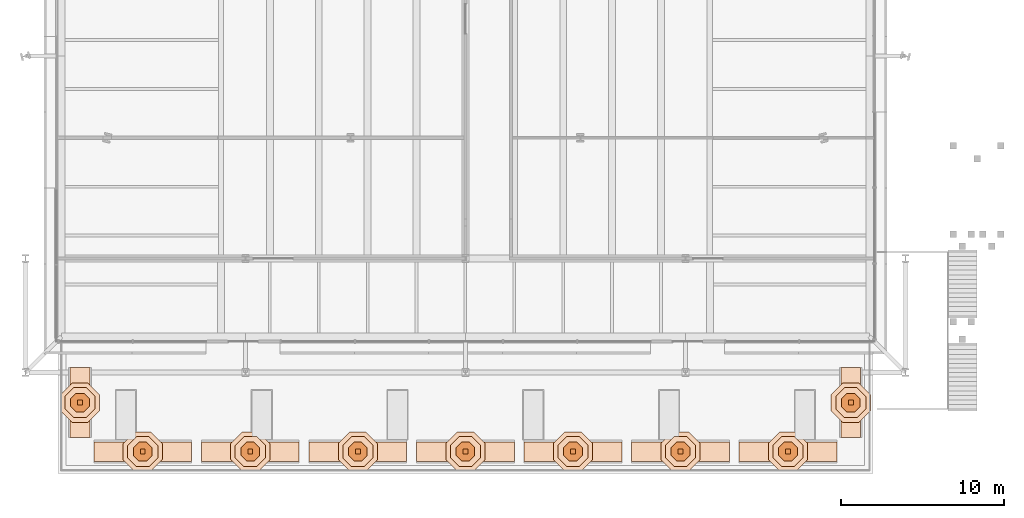
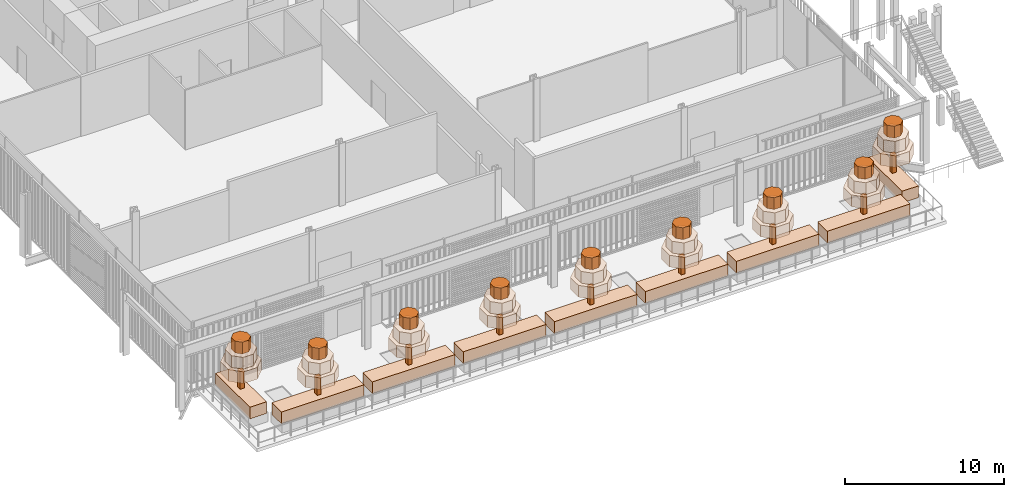
# One storey, part 25 of 25: 45 geographic elements.
"""IFC4 building model written with IfcOpenShell, lengths in metres."""

import ifcopenshell
import ifcopenshell.guid

model = None  # the IFC model being written
_history = None  # IfcOwnerHistory: only IFC2X3 demands one
_inside = {}  # id of a spatial element -> (the spatial element, [elements in it])
_under = {}  # id of a project, library or spatial element -> (it, [spatial elements below it])
_declared = {}  # id of a project -> (the project, [libraries it declares])
_typed = {}  # id of a type object -> (the type object, [elements of that type])
_made_of = {}  # id of a material, layer set ... -> (it, [elements and type objects made of it])


def new_model(schema):
    """Start an empty IFC model of exactly this schema.

    Asked for "IFC4X3", IfcOpenShell would pick the latest addendum, in which some entities
    have other attributes; the version numbers below select the first issue.
    IFC2X3 requires an IfcOwnerHistory on every rooted entity: one is made here for all.
    """
    global model, _history
    if schema == "IFC4X3":
        model = ifcopenshell.file(schema_version=(4, 3, 0, 0))
    else:
        model = ifcopenshell.file(schema=schema)
    _inside.clear()
    _under.clear()
    _declared.clear()
    _typed.clear()
    _made_of.clear()
    _history = None
    if model.schema == "IFC2X3":
        org = make("IfcOrganization", Name="unknown")
        user = make(
            "IfcPersonAndOrganization",
            ThePerson=make("IfcPerson", FamilyName="unknown"),
            TheOrganization=org,
        )
        app = make(
            "IfcApplication",
            ApplicationDeveloper=org,
            Version="unknown",
            ApplicationFullName="unknown",
            ApplicationIdentifier="unknown",
        )
        _history = make(
            "IfcOwnerHistory",
            OwningUser=user,
            OwningApplication=app,
            ChangeAction="ADDED",
            CreationDate=0,
        )
    return model


def make(cls, **values):
    """One entity of the class cls with the attributes given. An attribute that is None is left unset."""
    return model.create_entity(
        cls, **{name: value for name, value in values.items() if value is not None}
    )


def rooted(cls, **values):
    """An entity with a GlobalId (a new one), such as an element, a storey or a relation."""
    return make(cls, GlobalId=ifcopenshell.guid.new(), OwnerHistory=_history, **values)


def si_unit(unit_type, name, prefix=None):
    """IfcSIUnit, for example si_unit("LENGTHUNIT", "METRE", prefix="MILLI")."""
    return make("IfcSIUnit", UnitType=unit_type, Prefix=prefix, Name=name)


def assignment(units):
    """IfcUnitAssignment: the units of a project."""
    return None if units is None else make("IfcUnitAssignment", Units=units)


def point(xyz):
    """IfcCartesianPoint."""
    return None if xyz is None else make("IfcCartesianPoint", Coordinates=xyz)


def direction(xyz):
    """IfcDirection."""
    return None if xyz is None else make("IfcDirection", DirectionRatios=xyz)


def frame(location, z_axis=None, x_axis=None):
    """IfcAxis2Placement3D, a coordinate frame: its origin and axes. An axis left out is left unset."""
    return make(
        "IfcAxis2Placement3D",
        Location=point(location),
        Axis=direction(z_axis),
        RefDirection=direction(x_axis),
    )


def frame_2d(location, x_axis=None):
    """IfcAxis2Placement2D, a coordinate frame in the plane: its origin and x axis."""
    return make(
        "IfcAxis2Placement2D", Location=point(location), RefDirection=direction(x_axis)
    )


def origin():
    """The frame at (0, 0, 0) with its axes left unset."""
    return frame((0.0, 0.0, 0.0))


def origin_2d():
    """The frame at (0, 0) in the plane with its x axis left unset."""
    return frame_2d((0.0, 0.0))


def place(relative_to, where):
    """IfcLocalPlacement: puts the frame where relative to a parent placement (None: the world)."""
    return make(
        "IfcLocalPlacement", PlacementRelTo=relative_to, RelativePlacement=where
    )


def context(
    kind, dimensions, precision=None, world=None, true_north=None, identifier=None
):
    """IfcGeometricRepresentationContext, for example the 3D "Model" context."""
    return make(
        "IfcGeometricRepresentationContext",
        ContextIdentifier=identifier,
        ContextType=kind,
        CoordinateSpaceDimension=dimensions,
        Precision=precision,
        WorldCoordinateSystem=world,
        TrueNorth=true_north,
    )


def subcontext(parent, identifier, kind, view, scale=None):
    """IfcGeometricRepresentationSubContext, for example "Body" below "Model"."""
    return make(
        "IfcGeometricRepresentationSubContext",
        ContextIdentifier=identifier,
        ContextType=kind,
        ParentContext=parent,
        TargetScale=scale,
        TargetView=view,
    )


def project(units=None, contexts=None):
    """IfcProject with its units and contexts."""
    return rooted(
        "IfcProject",
        Name="project",
        RepresentationContexts=contexts,
        UnitsInContext=assignment(units),
    )


def spatial(cls, under=None, at=None, **own):
    """A site, building, storey or space (cls), placed at a placement, below another one or the project."""
    s = rooted(cls, ObjectPlacement=at, **own)
    if under is not None:
        _under.setdefault(under.id(), (under, []))[1].append(s)
    return s


def polyline(points):
    """IfcPolyline through the points."""
    return make("IfcPolyline", Points=[point(p) for p in points])


def profile(cls, at=None, kind="AREA", **sizes):
    """A parametric profile (cls). Its sizes go by their IFC names, for example OverallWidth=200.0."""
    return make(cls, ProfileType=kind, Position=at, **sizes)


def rectangle(**sizes):
    """IfcRectangleProfileDef."""
    return profile("IfcRectangleProfileDef", **sizes)


def outline(outer, holes=None, kind="AREA"):
    """IfcArbitraryClosedProfileDef: a profile drawn as a closed curve; with holes, ...WithVoids."""
    if holes is None:
        return make("IfcArbitraryClosedProfileDef", ProfileType=kind, OuterCurve=outer)
    return make(
        "IfcArbitraryProfileDefWithVoids",
        ProfileType=kind,
        OuterCurve=outer,
        InnerCurves=holes,
    )


def extrude(swept, where, along, depth):
    """IfcExtrudedAreaSolid: the profile swept, set in the frame where, extruded along a direction by depth."""
    return make(
        "IfcExtrudedAreaSolid",
        SweptArea=swept,
        Position=where,
        ExtrudedDirection=direction(along),
        Depth=depth,
    )


def shape(context_of_items, identifier, shape_type, items):
    """IfcShapeRepresentation: the items that make up one representation, for example the "Body"."""
    return make(
        "IfcShapeRepresentation",
        ContextOfItems=context_of_items,
        RepresentationIdentifier=identifier,
        RepresentationType=shape_type,
        Items=items,
    )


def material(Name=None, Category=None):
    """IfcMaterial."""
    return make("IfcMaterial", Name=Name, Category=Category)


def made_of(thing, what):
    """Note that an element or type object is made of a material, layer set ...; save() writes the relation."""
    if what is not None:
        _made_of.setdefault(what.id(), (what, []))[1].append(thing)
    return thing


def type_object(cls, material=None, **own):
    """A type object (cls), such as IfcWallType, which elements share."""
    return made_of(rooted(cls, **own), material)


def element(
    cls,
    number,
    at=None,
    inside=None,
    cuts=None,
    type_object=None,
    material=None,
    context=None,
    identifier="Body",
    shape_type=None,
    held_by="IfcProductDefinitionShape",
    body=None,
    shapes=None,
    **own,
):
    """One element of the class cls, such as IfcWall. Its Tag is "e" and its number.

    at: its placement. inside: the storey or other place that contains it. cuts: it is an
    opening in that element (IfcRelVoidsElement). A single representation is given by context,
    identifier, shape_type and body (its items); several are given by shapes. held_by: the class
    of the entity that holds the representations. save() writes the other relations.
    """
    e = rooted(cls, Tag="e%d" % number, ObjectPlacement=at, **own)
    if body is not None:
        shapes = [shape(context, identifier, shape_type, body)]
    if shapes is not None:
        e.Representation = make(held_by, Representations=shapes)
    if inside is not None:
        _inside.setdefault(inside.id(), (inside, []))[1].append(e)
    if cuts is not None:
        rooted(
            "IfcRelVoidsElement", RelatingBuildingElement=cuts, RelatedOpeningElement=e
        )
    if type_object is not None:
        _typed.setdefault(type_object.id(), (type_object, []))[1].append(e)
    return made_of(e, material)


def aggregate(whole, parts):
    """IfcRelAggregates: a whole, such as a stair, and the parts it consists of."""
    return rooted("IfcRelAggregates", RelatingObject=whole, RelatedObjects=parts)


def save(model, path):
    """Write the relations noted so far, then the file.

    IfcRelAggregates (storeys below a building ...), IfcRelContainedInSpatialStructure (elements
    in a storey), IfcRelDefinesByType, IfcRelAssociatesMaterial and IfcRelDeclares: one each for
    every whole, place, type object, material and project.
    """
    for whole, parts in _under.values():
        aggregate(whole, parts)
    for where, things in _inside.values():
        rooted(
            "IfcRelContainedInSpatialStructure",
            RelatedElements=things,
            RelatingStructure=where,
        )
    for kind, things in _typed.values():
        rooted("IfcRelDefinesByType", RelatedObjects=things, RelatingType=kind)
    for what, things in _made_of.values():
        rooted("IfcRelAssociatesMaterial", RelatedObjects=things, RelatingMaterial=what)
    for by, libraries in _declared.values():
        rooted("IfcRelDeclares", RelatingContext=by, RelatedDefinitions=libraries)
    model.write(path)


model = new_model("IFC4")

# Units and contexts
model_context = context("Model", 3, precision=1e-05, world=origin(), true_north=direction((0.0, 1.0)))
body_context = subcontext(model_context, "Body", "Model", "MODEL_VIEW")
ifc_project = project(units=[si_unit("LENGTHUNIT", "METRE"), si_unit("AREAUNIT", "SQUARE_METRE"), si_unit("VOLUMEUNIT", "CUBIC_METRE"), si_unit("PLANEANGLEUNIT", "RADIAN"), si_unit("MASSUNIT", "GRAM", prefix="KILO")], contexts=[model_context])

# Site, building, storey
site_placement = place(None, origin())
site = spatial("IfcSite", under=ifc_project, at=site_placement, CompositionType="ELEMENT")
building_placement = place(site_placement, origin())
building = spatial("IfcBuilding", under=site, at=building_placement, Name="Millrace Tower", CompositionType="ELEMENT")
storey_placement = place(building_placement, frame((0.0, 0.0, 6.5)))
storey = spatial("IfcBuildingStorey", under=building, at=storey_placement, Name="L02", CompositionType="ELEMENT", Elevation=6.5)

# Geographic elements
ifc_material_1 = material(Name="Planting shrub bed")
geographic_element_type_1 = type_object("IfcGeographicElementType", Name="Shrub bed", PredefinedType="USERDEFINED", material=ifc_material_1)
geographic_element_1_placement = place(storey_placement, frame((-23.64990234375, -43.25, 0.66015625), z_axis=(0.0, 0.0, 1.0), x_axis=(0.0, -1.0, 0.0)))
element("IfcGeographicElement", 1, at=geographic_element_1_placement, inside=storey, type_object=geographic_element_type_1, Name="Shrub bed CT-L01-1-1-0-0", ObjectType="SHRUB", PredefinedType="USERDEFINED", context=body_context, shape_type="SweptSolid", body=[
    extrude(rectangle(XDim=4.300048828125, YDim=1.199951171875, at=origin_2d()), origin(), (0.0, 0.0, 1.0), 0.89990234375),
])
for number, where, z_axis, x_axis, name in (
    (2, (-19.800048828125, -46.25, 0.66015625), (0.0, 0.0, 1.0), (1.0, 0.0, 0.0), "Shrub bed CT-L01-1-1-1-0"),
    (3, (-13.199951171875, -46.25, 0.66015625), (0.0, 0.0, 1.0), (1.0, 0.0, 0.0), "Shrub bed CT-L01-1-1-1-1"),
    (4, (-6.60009765625, -46.25, 0.66015625), (0.0, 0.0, 1.0), (1.0, 0.0, 0.0), "Shrub bed CT-L01-1-1-1-2"),
    (5, (0.0, -46.25, 0.66015625), (0.0, 0.0, 1.0), (1.0, 0.0, 0.0), "Shrub bed CT-L01-1-1-1-3"),
    (6, (6.60009765625, -46.25, 0.66015625), (0.0, 0.0, 1.0), (1.0, 0.0, 0.0), "Shrub bed CT-L01-1-1-1-4"),
    (7, (13.199951171875, -46.25, 0.66015625), (0.0, 0.0, 1.0), (1.0, 0.0, 0.0), "Shrub bed CT-L01-1-1-1-5"),
    (8, (19.800048828125, -46.25, 0.66015625), (0.0, 0.0, 1.0), (1.0, 0.0, 0.0), "Shrub bed CT-L01-1-1-1-6"),
):
    element("IfcGeographicElement", number, at=place(storey_placement, frame(where, z_axis=z_axis, x_axis=x_axis)), inside=storey, type_object=geographic_element_type_1, Name=name, ObjectType="SHRUB", PredefinedType="USERDEFINED", context=body_context, shape_type="SweptSolid", body=[
        extrude(rectangle(XDim=6.0, YDim=1.199951171875, at=origin_2d()), origin(), (0.0, 0.0, 1.0), 0.89990234375),
    ])
geographic_element_2_placement = place(storey_placement, frame((23.64990234375, -43.25, 0.66015625), z_axis=(0.0, 0.0, 1.0), x_axis=(0.0, 1.0, 0.0)))
element("IfcGeographicElement", 9, at=geographic_element_2_placement, inside=storey, type_object=geographic_element_type_1, Name="Shrub bed CT-L01-1-1-2-0", ObjectType="SHRUB", PredefinedType="USERDEFINED", context=body_context, shape_type="SweptSolid", body=[
    extrude(rectangle(XDim=4.300048828125, YDim=1.199951171875, at=origin_2d()), origin(), (0.0, 0.0, 1.0), 0.89990234375),
])
ifc_material_2 = material(Name="Planting tree crown")
geographic_element_type_2 = type_object("IfcGeographicElementType", Name="Tree crown", PredefinedType="USERDEFINED", material=ifc_material_2)
placement_1 = place(storey_placement, frame((0.0, 0.0, 2.760009765625)))
element("IfcGeographicElement", 10, at=placement_1, inside=storey, type_object=geographic_element_type_2, Name="Tree crown CT-L01-1-1-0-0 tier 1", ObjectType="TREE", PredefinedType="USERDEFINED", context=body_context, shape_type="SweptSolid", body=[
    extrude(outline(polyline([(-22.448974609375, -42.75244140625), (-23.152587890625, -42.049072265625), (-24.1474609375, -42.049072265625), (-24.85107421875, -42.75244140625), (-24.85107421875, -43.74755859375), (-24.1474609375, -44.450927734375), (-23.152587890625, -44.450927734375), (-22.448974609375, -43.74755859375), (-22.448974609375, -42.75244140625)])), origin(), (0.0, 0.0, 1.0), 0.89990234375),
])
placement_2 = place(storey_placement, frame((0.0, 0.0, 3.659912109375)))
element("IfcGeographicElement", 11, at=placement_2, inside=storey, type_object=geographic_element_type_2, Name="Tree crown CT-L01-1-1-0-0 tier 2", ObjectType="TREE", PredefinedType="USERDEFINED", context=body_context, shape_type="SweptSolid", body=[
    extrude(outline(polyline([(-22.72607421875, -42.8671875), (-23.267333984375, -42.326171875), (-24.03271484375, -42.326171875), (-24.573974609375, -42.8671875), (-24.573974609375, -43.6328125), (-24.03271484375, -44.173828125), (-23.267333984375, -44.173828125), (-22.72607421875, -43.6328125), (-22.72607421875, -42.8671875)])), origin(), (0.0, 0.0, 1.0), 0.900146484375),
])
placement_3 = place(storey_placement, frame((0.0, 0.0, 4.56005859375)))
element("IfcGeographicElement", 12, at=placement_3, inside=storey, type_object=geographic_element_type_2, Name="Tree crown CT-L01-1-1-0-0 tier 3", ObjectType="TREE", PredefinedType="USERDEFINED", context=body_context, shape_type="SweptSolid", body=[
    extrude(outline(polyline([(-23.0771484375, -43.0126953125), (-23.41259765625, -42.67724609375), (-23.88720703125, -42.67724609375), (-24.222900390625, -43.0126953125), (-24.222900390625, -43.4873046875), (-23.88720703125, -43.82275390625), (-23.41259765625, -43.82275390625), (-23.0771484375, -43.4873046875), (-23.0771484375, -43.0126953125)])), origin(), (0.0, 0.0, 1.0), 0.89990234375),
])
element("IfcGeographicElement", 13, at=placement_1, inside=storey, type_object=geographic_element_type_2, Name="Tree crown CT-L01-1-1-1-0 tier 1", ObjectType="TREE", PredefinedType="USERDEFINED", context=body_context, shape_type="SweptSolid", body=[
    extrude(outline(polyline([(-18.59912109375, -45.75244140625), (-19.302490234375, -45.049072265625), (-20.297607421875, -45.049072265625), (-21.0009765625, -45.75244140625), (-21.0009765625, -46.74755859375), (-20.297607421875, -47.450927734375), (-19.302490234375, -47.450927734375), (-18.59912109375, -46.74755859375), (-18.59912109375, -45.75244140625)])), origin(), (0.0, 0.0, 1.0), 0.89990234375),
])
element("IfcGeographicElement", 14, at=placement_2, inside=storey, type_object=geographic_element_type_2, Name="Tree crown CT-L01-1-1-1-0 tier 2", ObjectType="TREE", PredefinedType="USERDEFINED", context=body_context, shape_type="SweptSolid", body=[
    extrude(outline(polyline([(-18.876220703125, -45.8671875), (-19.417236328125, -45.326171875), (-20.1826171875, -45.326171875), (-20.723876953125, -45.8671875), (-20.723876953125, -46.6328125), (-20.1826171875, -47.173828125), (-19.417236328125, -47.173828125), (-18.876220703125, -46.6328125), (-18.876220703125, -45.8671875)])), origin(), (0.0, 0.0, 1.0), 0.900146484375),
])
element("IfcGeographicElement", 15, at=placement_3, inside=storey, type_object=geographic_element_type_2, Name="Tree crown CT-L01-1-1-1-0 tier 3", ObjectType="TREE", PredefinedType="USERDEFINED", context=body_context, shape_type="SweptSolid", body=[
    extrude(outline(polyline([(-19.227294921875, -46.0126953125), (-19.562744140625, -45.67724609375), (-20.037353515625, -45.67724609375), (-20.372802734375, -46.0126953125), (-20.372802734375, -46.4873046875), (-20.037353515625, -46.82275390625), (-19.562744140625, -46.82275390625), (-19.227294921875, -46.4873046875), (-19.227294921875, -46.0126953125)])), origin(), (0.0, 0.0, 1.0), 0.89990234375),
])
element("IfcGeographicElement", 16, at=placement_1, inside=storey, type_object=geographic_element_type_2, Name="Tree crown CT-L01-1-1-1-1 tier 1", ObjectType="TREE", PredefinedType="USERDEFINED", context=body_context, shape_type="SweptSolid", body=[
    extrude(outline(polyline([(-11.9990234375, -45.75244140625), (-12.702392578125, -45.049072265625), (-13.697509765625, -45.049072265625), (-14.40087890625, -45.75244140625), (-14.40087890625, -46.74755859375), (-13.697509765625, -47.450927734375), (-12.702392578125, -47.450927734375), (-11.9990234375, -46.74755859375), (-11.9990234375, -45.75244140625)])), origin(), (0.0, 0.0, 1.0), 0.89990234375),
])
element("IfcGeographicElement", 17, at=placement_2, inside=storey, type_object=geographic_element_type_2, Name="Tree crown CT-L01-1-1-1-1 tier 2", ObjectType="TREE", PredefinedType="USERDEFINED", context=body_context, shape_type="SweptSolid", body=[
    extrude(outline(polyline([(-12.276123046875, -45.8671875), (-12.8173828125, -45.326171875), (-13.582763671875, -45.326171875), (-14.123779296875, -45.8671875), (-14.123779296875, -46.6328125), (-13.582763671875, -47.173828125), (-12.8173828125, -47.173828125), (-12.276123046875, -46.6328125), (-12.276123046875, -45.8671875)])), origin(), (0.0, 0.0, 1.0), 0.900146484375),
])
element("IfcGeographicElement", 18, at=placement_3, inside=storey, type_object=geographic_element_type_2, Name="Tree crown CT-L01-1-1-1-1 tier 3", ObjectType="TREE", PredefinedType="USERDEFINED", context=body_context, shape_type="SweptSolid", body=[
    extrude(outline(polyline([(-12.627197265625, -46.0126953125), (-12.962646484375, -45.67724609375), (-13.437255859375, -45.67724609375), (-13.772705078125, -46.0126953125), (-13.772705078125, -46.4873046875), (-13.437255859375, -46.82275390625), (-12.962646484375, -46.82275390625), (-12.627197265625, -46.4873046875), (-12.627197265625, -46.0126953125)])), origin(), (0.0, 0.0, 1.0), 0.89990234375),
])
element("IfcGeographicElement", 19, at=placement_1, inside=storey, type_object=geographic_element_type_2, Name="Tree crown CT-L01-1-1-1-2 tier 1", ObjectType="TREE", PredefinedType="USERDEFINED", context=body_context, shape_type="SweptSolid", body=[
    extrude(outline(polyline([(-5.39892578125, -45.75244140625), (-6.1025390625, -45.049072265625), (-7.097412109375, -45.049072265625), (-7.801025390625, -45.75244140625), (-7.801025390625, -46.74755859375), (-7.097412109375, -47.450927734375), (-6.1025390625, -47.450927734375), (-5.39892578125, -46.74755859375), (-5.39892578125, -45.75244140625)])), origin(), (0.0, 0.0, 1.0), 0.89990234375),
])
element("IfcGeographicElement", 20, at=placement_2, inside=storey, type_object=geographic_element_type_2, Name="Tree crown CT-L01-1-1-1-2 tier 2", ObjectType="TREE", PredefinedType="USERDEFINED", context=body_context, shape_type="SweptSolid", body=[
    extrude(outline(polyline([(-5.676025390625, -45.8671875), (-6.21728515625, -45.326171875), (-6.982666015625, -45.326171875), (-7.52392578125, -45.8671875), (-7.52392578125, -46.6328125), (-6.982666015625, -47.173828125), (-6.21728515625, -47.173828125), (-5.676025390625, -46.6328125), (-5.676025390625, -45.8671875)])), origin(), (0.0, 0.0, 1.0), 0.900146484375),
])
element("IfcGeographicElement", 21, at=placement_3, inside=storey, type_object=geographic_element_type_2, Name="Tree crown CT-L01-1-1-1-2 tier 3", ObjectType="TREE", PredefinedType="USERDEFINED", context=body_context, shape_type="SweptSolid", body=[
    extrude(outline(polyline([(-6.027099609375, -46.0126953125), (-6.36279296875, -45.67724609375), (-6.83740234375, -45.67724609375), (-7.1728515625, -46.0126953125), (-7.1728515625, -46.4873046875), (-6.83740234375, -46.82275390625), (-6.36279296875, -46.82275390625), (-6.027099609375, -46.4873046875), (-6.027099609375, -46.0126953125)])), origin(), (0.0, 0.0, 1.0), 0.89990234375),
])
element("IfcGeographicElement", 22, at=placement_1, inside=storey, type_object=geographic_element_type_2, Name="Tree crown CT-L01-1-1-1-3 tier 1", ObjectType="TREE", PredefinedType="USERDEFINED", context=body_context, shape_type="SweptSolid", body=[
    extrude(outline(polyline([(1.200927734375, -45.75244140625), (0.49755859375, -45.049072265625), (-0.49755859375, -45.049072265625), (-1.200927734375, -45.75244140625), (-1.200927734375, -46.74755859375), (-0.49755859375, -47.450927734375), (0.49755859375, -47.450927734375), (1.200927734375, -46.74755859375), (1.200927734375, -45.75244140625)])), origin(), (0.0, 0.0, 1.0), 0.89990234375),
])
element("IfcGeographicElement", 23, at=placement_2, inside=storey, type_object=geographic_element_type_2, Name="Tree crown CT-L01-1-1-1-3 tier 2", ObjectType="TREE", PredefinedType="USERDEFINED", context=body_context, shape_type="SweptSolid", body=[
    extrude(outline(polyline([(0.923828125, -45.8671875), (0.3828125, -45.326171875), (-0.3828125, -45.326171875), (-0.923828125, -45.8671875), (-0.923828125, -46.6328125), (-0.3828125, -47.173828125), (0.3828125, -47.173828125), (0.923828125, -46.6328125), (0.923828125, -45.8671875)])), origin(), (0.0, 0.0, 1.0), 0.900146484375),
])
element("IfcGeographicElement", 24, at=placement_3, inside=storey, type_object=geographic_element_type_2, Name="Tree crown CT-L01-1-1-1-3 tier 3", ObjectType="TREE", PredefinedType="USERDEFINED", context=body_context, shape_type="SweptSolid", body=[
    extrude(outline(polyline([(0.57275390625, -46.0126953125), (0.2373046875, -45.67724609375), (-0.2373046875, -45.67724609375), (-0.57275390625, -46.0126953125), (-0.57275390625, -46.4873046875), (-0.2373046875, -46.82275390625), (0.2373046875, -46.82275390625), (0.57275390625, -46.4873046875), (0.57275390625, -46.0126953125)])), origin(), (0.0, 0.0, 1.0), 0.89990234375),
])
element("IfcGeographicElement", 25, at=placement_1, inside=storey, type_object=geographic_element_type_2, Name="Tree crown CT-L01-1-1-1-4 tier 1", ObjectType="TREE", PredefinedType="USERDEFINED", context=body_context, shape_type="SweptSolid", body=[
    extrude(outline(polyline([(7.801025390625, -45.75244140625), (7.097412109375, -45.049072265625), (6.1025390625, -45.049072265625), (5.39892578125, -45.75244140625), (5.39892578125, -46.74755859375), (6.1025390625, -47.450927734375), (7.097412109375, -47.450927734375), (7.801025390625, -46.74755859375), (7.801025390625, -45.75244140625)])), origin(), (0.0, 0.0, 1.0), 0.89990234375),
])
element("IfcGeographicElement", 26, at=placement_2, inside=storey, type_object=geographic_element_type_2, Name="Tree crown CT-L01-1-1-1-4 tier 2", ObjectType="TREE", PredefinedType="USERDEFINED", context=body_context, shape_type="SweptSolid", body=[
    extrude(outline(polyline([(7.52392578125, -45.8671875), (6.982666015625, -45.326171875), (6.21728515625, -45.326171875), (5.676025390625, -45.8671875), (5.676025390625, -46.6328125), (6.21728515625, -47.173828125), (6.982666015625, -47.173828125), (7.52392578125, -46.6328125), (7.52392578125, -45.8671875)])), origin(), (0.0, 0.0, 1.0), 0.900146484375),
])
element("IfcGeographicElement", 27, at=placement_3, inside=storey, type_object=geographic_element_type_2, Name="Tree crown CT-L01-1-1-1-4 tier 3", ObjectType="TREE", PredefinedType="USERDEFINED", context=body_context, shape_type="SweptSolid", body=[
    extrude(outline(polyline([(7.1728515625, -46.0126953125), (6.83740234375, -45.67724609375), (6.36279296875, -45.67724609375), (6.027099609375, -46.0126953125), (6.027099609375, -46.4873046875), (6.36279296875, -46.82275390625), (6.83740234375, -46.82275390625), (7.1728515625, -46.4873046875), (7.1728515625, -46.0126953125)])), origin(), (0.0, 0.0, 1.0), 0.89990234375),
])
element("IfcGeographicElement", 28, at=placement_1, inside=storey, type_object=geographic_element_type_2, Name="Tree crown CT-L01-1-1-1-5 tier 1", ObjectType="TREE", PredefinedType="USERDEFINED", context=body_context, shape_type="SweptSolid", body=[
    extrude(outline(polyline([(14.40087890625, -45.75244140625), (13.697509765625, -45.049072265625), (12.702392578125, -45.049072265625), (11.9990234375, -45.75244140625), (11.9990234375, -46.74755859375), (12.702392578125, -47.450927734375), (13.697509765625, -47.450927734375), (14.40087890625, -46.74755859375), (14.40087890625, -45.75244140625)])), origin(), (0.0, 0.0, 1.0), 0.89990234375),
])
element("IfcGeographicElement", 29, at=placement_2, inside=storey, type_object=geographic_element_type_2, Name="Tree crown CT-L01-1-1-1-5 tier 2", ObjectType="TREE", PredefinedType="USERDEFINED", context=body_context, shape_type="SweptSolid", body=[
    extrude(outline(polyline([(14.123779296875, -45.8671875), (13.582763671875, -45.326171875), (12.8173828125, -45.326171875), (12.276123046875, -45.8671875), (12.276123046875, -46.6328125), (12.8173828125, -47.173828125), (13.582763671875, -47.173828125), (14.123779296875, -46.6328125), (14.123779296875, -45.8671875)])), origin(), (0.0, 0.0, 1.0), 0.900146484375),
])
element("IfcGeographicElement", 30, at=placement_3, inside=storey, type_object=geographic_element_type_2, Name="Tree crown CT-L01-1-1-1-5 tier 3", ObjectType="TREE", PredefinedType="USERDEFINED", context=body_context, shape_type="SweptSolid", body=[
    extrude(outline(polyline([(13.772705078125, -46.0126953125), (13.437255859375, -45.67724609375), (12.962646484375, -45.67724609375), (12.627197265625, -46.0126953125), (12.627197265625, -46.4873046875), (12.962646484375, -46.82275390625), (13.437255859375, -46.82275390625), (13.772705078125, -46.4873046875), (13.772705078125, -46.0126953125)])), origin(), (0.0, 0.0, 1.0), 0.89990234375),
])
element("IfcGeographicElement", 31, at=placement_1, inside=storey, type_object=geographic_element_type_2, Name="Tree crown CT-L01-1-1-1-6 tier 1", ObjectType="TREE", PredefinedType="USERDEFINED", context=body_context, shape_type="SweptSolid", body=[
    extrude(outline(polyline([(21.0009765625, -45.75244140625), (20.297607421875, -45.049072265625), (19.302490234375, -45.049072265625), (18.59912109375, -45.75244140625), (18.59912109375, -46.74755859375), (19.302490234375, -47.450927734375), (20.297607421875, -47.450927734375), (21.0009765625, -46.74755859375), (21.0009765625, -45.75244140625)])), origin(), (0.0, 0.0, 1.0), 0.89990234375),
])
element("IfcGeographicElement", 32, at=placement_2, inside=storey, type_object=geographic_element_type_2, Name="Tree crown CT-L01-1-1-1-6 tier 2", ObjectType="TREE", PredefinedType="USERDEFINED", context=body_context, shape_type="SweptSolid", body=[
    extrude(outline(polyline([(20.723876953125, -45.8671875), (20.1826171875, -45.326171875), (19.417236328125, -45.326171875), (18.876220703125, -45.8671875), (18.876220703125, -46.6328125), (19.417236328125, -47.173828125), (20.1826171875, -47.173828125), (20.723876953125, -46.6328125), (20.723876953125, -45.8671875)])), origin(), (0.0, 0.0, 1.0), 0.900146484375),
])
element("IfcGeographicElement", 33, at=placement_3, inside=storey, type_object=geographic_element_type_2, Name="Tree crown CT-L01-1-1-1-6 tier 3", ObjectType="TREE", PredefinedType="USERDEFINED", context=body_context, shape_type="SweptSolid", body=[
    extrude(outline(polyline([(20.372802734375, -46.0126953125), (20.037353515625, -45.67724609375), (19.562744140625, -45.67724609375), (19.227294921875, -46.0126953125), (19.227294921875, -46.4873046875), (19.562744140625, -46.82275390625), (20.037353515625, -46.82275390625), (20.372802734375, -46.4873046875), (20.372802734375, -46.0126953125)])), origin(), (0.0, 0.0, 1.0), 0.89990234375),
])
element("IfcGeographicElement", 34, at=placement_1, inside=storey, type_object=geographic_element_type_2, Name="Tree crown CT-L01-1-1-2-0 tier 1", ObjectType="TREE", PredefinedType="USERDEFINED", context=body_context, shape_type="SweptSolid", body=[
    extrude(outline(polyline([(24.85107421875, -42.75244140625), (24.1474609375, -42.049072265625), (23.152587890625, -42.049072265625), (22.448974609375, -42.75244140625), (22.448974609375, -43.74755859375), (23.152587890625, -44.450927734375), (24.1474609375, -44.450927734375), (24.85107421875, -43.74755859375), (24.85107421875, -42.75244140625)])), origin(), (0.0, 0.0, 1.0), 0.89990234375),
])
element("IfcGeographicElement", 35, at=placement_2, inside=storey, type_object=geographic_element_type_2, Name="Tree crown CT-L01-1-1-2-0 tier 2", ObjectType="TREE", PredefinedType="USERDEFINED", context=body_context, shape_type="SweptSolid", body=[
    extrude(outline(polyline([(24.573974609375, -42.8671875), (24.03271484375, -42.326171875), (23.267333984375, -42.326171875), (22.72607421875, -42.8671875), (22.72607421875, -43.6328125), (23.267333984375, -44.173828125), (24.03271484375, -44.173828125), (24.573974609375, -43.6328125), (24.573974609375, -42.8671875)])), origin(), (0.0, 0.0, 1.0), 0.900146484375),
])
element("IfcGeographicElement", 36, at=placement_3, inside=storey, type_object=geographic_element_type_2, Name="Tree crown CT-L01-1-1-2-0 tier 3", ObjectType="TREE", PredefinedType="USERDEFINED", context=body_context, shape_type="SweptSolid", body=[
    extrude(outline(polyline([(24.222900390625, -43.0126953125), (23.88720703125, -42.67724609375), (23.41259765625, -42.67724609375), (23.0771484375, -43.0126953125), (23.0771484375, -43.4873046875), (23.41259765625, -43.82275390625), (23.88720703125, -43.82275390625), (24.222900390625, -43.4873046875), (24.222900390625, -43.0126953125)])), origin(), (0.0, 0.0, 1.0), 0.89990234375),
])
ifc_material_3 = material(Name="Timber trunk", Category="wood")
geographic_element_type_3 = type_object("IfcGeographicElementType", Name="Tree trunk", PredefinedType="USERDEFINED", material=ifc_material_3)
for number, where, z_axis, x_axis, name in (
    (37, (-23.64990234375, -43.25, 0.76025390625), (0.0, 0.0, 1.0), (1.0, 0.0, 0.0), "Tree trunk CT-L01-1-1-0-0"),
    (38, (-19.800048828125, -46.25, 0.76025390625), (0.0, 0.0, 1.0), (1.0, 0.0, 0.0), "Tree trunk CT-L01-1-1-1-0"),
    (39, (-13.199951171875, -46.25, 0.76025390625), (0.0, 0.0, 1.0), (1.0, 0.0, 0.0), "Tree trunk CT-L01-1-1-1-1"),
    (40, (-6.60009765625, -46.25, 0.76025390625), (0.0, 0.0, 1.0), (1.0, 0.0, 0.0), "Tree trunk CT-L01-1-1-1-2"),
    (41, (0.0, -46.25, 0.76025390625), (0.0, 0.0, 1.0), (1.0, 0.0, 0.0), "Tree trunk CT-L01-1-1-1-3"),
    (42, (6.60009765625, -46.25, 0.76025390625), (0.0, 0.0, 1.0), (1.0, 0.0, 0.0), "Tree trunk CT-L01-1-1-1-4"),
    (43, (13.199951171875, -46.25, 0.76025390625), (0.0, 0.0, 1.0), (1.0, 0.0, 0.0), "Tree trunk CT-L01-1-1-1-5"),
    (44, (19.800048828125, -46.25, 0.76025390625), (0.0, 0.0, 1.0), (1.0, 0.0, 0.0), "Tree trunk CT-L01-1-1-1-6"),
    (45, (23.64990234375, -43.25, 0.76025390625), (0.0, 0.0, 1.0), (1.0, 0.0, 0.0), "Tree trunk CT-L01-1-1-2-0"),
):
    element("IfcGeographicElement", number, at=place(storey_placement, frame(where, z_axis=z_axis, x_axis=x_axis)), inside=storey, type_object=geographic_element_type_3, Name=name, ObjectType="TREE", PredefinedType="USERDEFINED", context=body_context, shape_type="SweptSolid", body=[
        extrude(rectangle(XDim=0.300048828125, YDim=0.300048828125, at=origin_2d()), origin(), (0.0, 0.0, 1.0), 2.199951171875),
    ])

save(model, "model.ifc")
